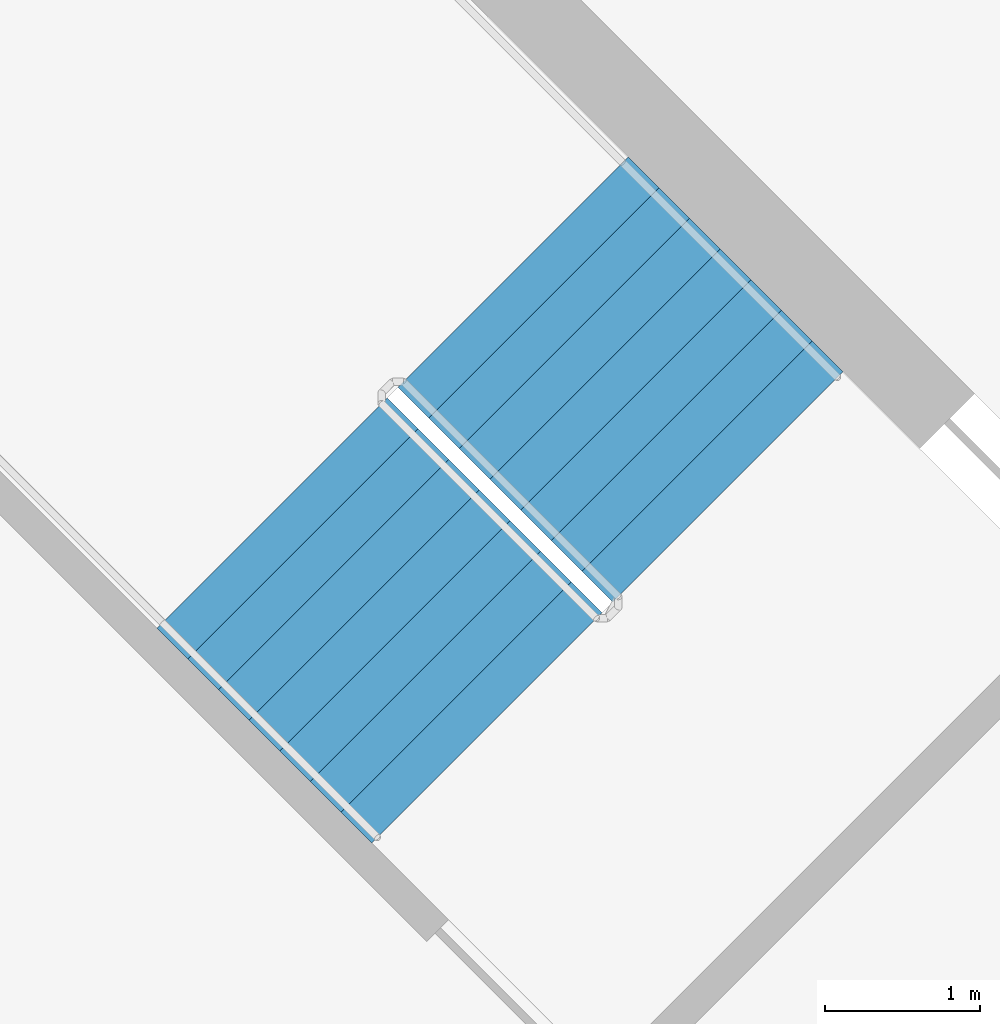
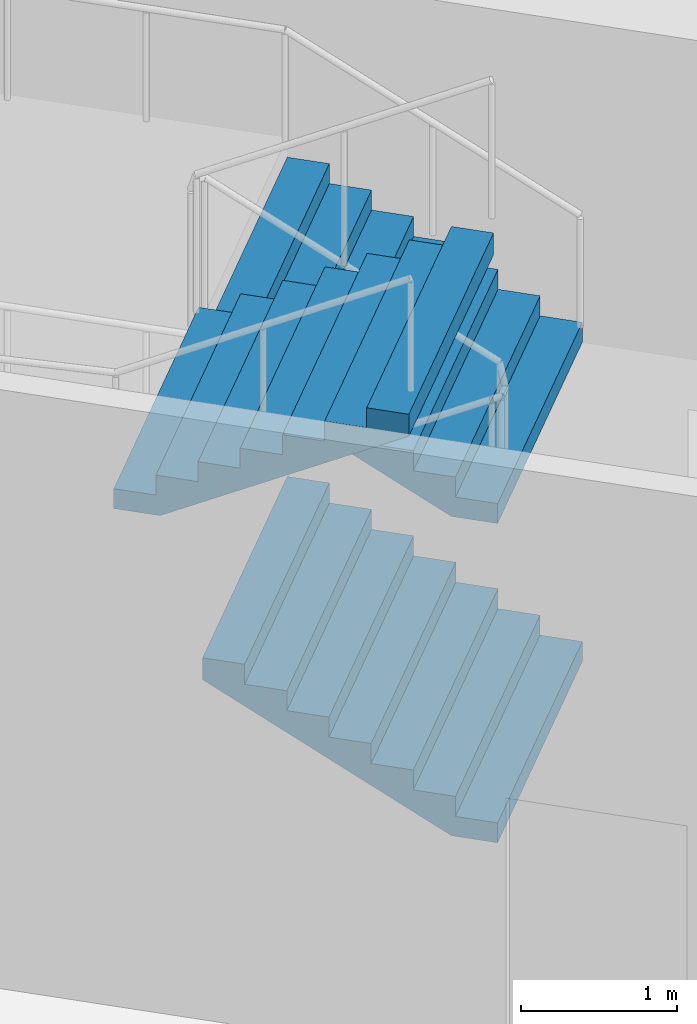
# One storey, part 15 of 17: 3 stair flights, 1 element without a shape of its own.
"""IFC4 building model written with IfcOpenShell, lengths in metres."""

from ifc_helpers import new_model, si_unit, direction, frame, origin, place, context, subcontext, project, spatial, triangles, material, type_object, element, aggregate, save


model = new_model("IFC4")

# Units and contexts
model_context = context("Model", 3, precision=1e-05, world=origin(), true_north=direction((0.0, 1.0)))
body_context = subcontext(model_context, "Body", "Model", "MODEL_VIEW")
ifc_project = project(units=[si_unit("LENGTHUNIT", "METRE"), si_unit("AREAUNIT", "SQUARE_METRE"), si_unit("VOLUMEUNIT", "CUBIC_METRE"), si_unit("PLANEANGLEUNIT", "RADIAN"), si_unit("MASSUNIT", "GRAM", prefix="KILO")], contexts=[model_context])

# Site, building, storey
site_placement = place(None, origin())
site = spatial("IfcSite", under=ifc_project, at=site_placement, CompositionType="ELEMENT")
building_placement = place(site_placement, origin())
building = spatial("IfcBuilding", under=site, at=building_placement, Name="Verdalira Terraces Hotel", CompositionType="ELEMENT")
storey_placement = place(building_placement, frame((0.0, 0.0, 222.0)))
storey = spatial("IfcBuildingStorey", under=building, at=storey_placement, Name="L54", CompositionType="ELEMENT", Elevation=222.0)

# Stair, stair flights
ifc_material_1 = material(Name="Concrete C40", Category="concrete")
stair_type = type_object("IfcStairType", Name="Core stair 32 risers 2100 mm wide", PredefinedType="HALF_TURN_STAIR", material=ifc_material_1)
stair_placement = place(storey_placement, origin())
stair = element("IfcStair", 1, at=stair_placement, inside=storey, type_object=stair_type, Name="L54 Exit stair ST1", PredefinedType="HALF_TURN_STAIR")
ifc_material_2 = material(Name="Concrete C40", Category="concrete")
stair_flight_type = type_object("IfcStairFlightType", Name="Core stair flight 32 risers 2100 mm wide", PredefinedType="STRAIGHT", material=ifc_material_2)
stair_flight_1_placement = place(storey_placement, frame((10.076172, 7.530762, 0.0), z_axis=(0.0, 0.0, 1.0), x_axis=(-0.707106781, 0.707106781, 0.0)))
stair_flight_1 = element("IfcStairFlight", 2, at=stair_flight_1_placement, type_object=stair_flight_type, Name="ST1 flight 1", NumberOfRisers=8, NumberOfTreads=7, PredefinedType="STRAIGHT", RiserHeight=0.15625, TreadLength=0.28, context=body_context, shape_type="Tessellation", body=[
    triangles([(0.0, 1.050049, 0.0), (0.307617, 1.050049, 0.0), (1.959961, 1.050049, 0.922119), (0.0, -1.050049, 0.0), (0.307617, -1.050049, 0.0), (1.959961, -1.050049, 0.922119), (1.959961, 1.050049, 1.09375), (1.679932, 1.050049, 1.09375), (1.959961, -1.050049, 1.09375), (1.679932, -1.050049, 1.09375), (1.679932, 1.050049, 0.9375), (1.679932, -1.050049, 0.9375), (1.399902, 1.050049, 0.9375), (1.399902, -1.050049, 0.9375), (1.399902, 1.050049, 0.78125), (1.399902, -1.050049, 0.78125), (1.120117, 1.050049, 0.78125), (1.120117, 1.050049, 0.625), (1.120117, -1.050049, 0.78125), (1.120117, -1.050049, 0.625), (0.840088, 1.050049, 0.625), (0.840088, 1.050049, 0.46875), (0.840088, -1.050049, 0.625), (0.840088, -1.050049, 0.46875), (0.560059, 1.050049, 0.46875), (0.560059, 1.050049, 0.3125), (0.560059, -1.050049, 0.46875), (0.560059, -1.050049, 0.3125), (0.280029, 1.050049, 0.3125), (0.280029, 1.050049, 0.15625), (0.280029, -1.050049, 0.3125), (0.280029, -1.050049, 0.15625), (0.0, 1.050049, 0.15625), (0.0, -1.050049, 0.15625), (0.0, -0.984421, 0.0), (0.0, -0.984421, 0.15625), (0.0, -0.918793, 0.0), (0.0, -0.918793, 0.15625), (0.0, -0.853165, 0.0), (0.0, -0.853165, 0.15625), (0.0, -0.787537, 0.0), (0.0, -0.787537, 0.15625), (0.0, -0.721909, 0.0), (0.0, -0.721909, 0.15625), (0.0, -0.656281, 0.0), (0.0, -0.656281, 0.15625), (0.0, -0.590652, 0.0), (0.0, -0.590652, 0.15625), (0.0, -0.525024, 0.0), (0.0, -0.525024, 0.15625), (0.0, -0.459396, 0.0), (0.0, -0.459396, 0.15625), (0.0, -0.393768, 0.0), (0.0, -0.393768, 0.15625), (0.0, -0.32814, 0.0), (0.0, -0.32814, 0.15625), (0.0, -0.262512, 0.0), (0.0, -0.262512, 0.15625), (0.0, -0.196884, 0.0), (0.0, -0.196884, 0.15625), (0.0, -0.131256, 0.0), (0.0, -0.131256, 0.15625), (0.0, -0.065628, 0.0), (0.0, -0.065628, 0.15625), (0.0, 0.0, 0.0), (0.0, 0.0, 0.15625), (0.0, 0.065628, 0.0), (0.0, 0.065628, 0.15625), (0.0, 0.131256, 0.0), (0.0, 0.131256, 0.15625), (0.0, 0.196884, 0.0), (0.0, 0.196884, 0.15625), (0.0, 0.262512, 0.0), (0.0, 0.262512, 0.15625), (0.0, 0.32814, 0.0), (0.0, 0.32814, 0.15625), (0.0, 0.393768, 0.0), (0.0, 0.393768, 0.15625), (0.0, 0.459396, 0.0), (0.0, 0.459396, 0.15625), (0.0, 0.525024, 0.0), (0.0, 0.525024, 0.15625), (0.0, 0.590652, 0.0), (0.0, 0.590652, 0.15625), (0.0, 0.656281, 0.0), (0.0, 0.656281, 0.15625), (0.0, 0.721909, 0.0), (0.0, 0.721909, 0.15625), (0.0, 0.787537, 0.0), (0.0, 0.787537, 0.15625), (0.0, 0.853165, 0.0), (0.0, 0.853165, 0.15625), (0.0, 0.918793, 0.0), (0.0, 0.918793, 0.15625), (0.0, 0.984421, 0.0), (0.0, 0.984421, 0.15625), (1.959961, -0.984421, 1.09375), (1.959961, -0.918793, 1.09375), (1.959961, -0.853165, 1.09375), (1.959961, -0.787537, 1.09375), (1.959961, -0.721909, 1.09375), (1.959961, -0.656281, 1.09375), (1.959961, -0.590652, 1.09375), (1.959961, -0.525024, 1.09375), (1.959961, -0.459396, 1.09375), (1.959961, -0.393768, 1.09375), (1.959961, -0.32814, 1.09375), (1.959961, -0.262512, 1.09375), (1.959961, -0.196884, 1.09375), (1.959961, -0.131256, 1.09375), (1.959961, -0.065628, 1.09375), (1.959961, 0.0, 1.09375), (1.959961, 0.065628, 1.09375), (1.959961, 0.131256, 1.09375), (1.959961, 0.196884, 1.09375), (1.959961, 0.262512, 1.09375), (1.959961, 0.32814, 1.09375), (1.959961, 0.393768, 1.09375), (1.959961, 0.459396, 1.09375), (1.959961, 0.525024, 1.09375), (1.959961, 0.590652, 1.09375), (1.959961, 0.656281, 1.09375), (1.959961, 0.721909, 1.09375), (1.959961, 0.787537, 1.09375), (1.959961, 0.853165, 1.09375), (1.959961, 0.918793, 1.09375), (1.959961, 0.984421, 1.09375), (1.959961, -0.984421, 0.922119), (1.959961, -0.918793, 0.922119), (1.959961, -0.853165, 0.922119), (1.959961, -0.787537, 0.922119), (1.959961, -0.721909, 0.922119), (1.959961, -0.656281, 0.922119), (1.959961, -0.590652, 0.922119), (1.959961, -0.525024, 0.922119), (1.959961, -0.459396, 0.922119), (1.959961, -0.393768, 0.922119), (1.959961, -0.32814, 0.922119), (1.959961, -0.262512, 0.922119), (1.959961, -0.196884, 0.922119), (1.959961, -0.131256, 0.922119), (1.959961, -0.065628, 0.922119), (1.959961, 0.0, 0.922119), (1.959961, 0.065628, 0.922119), (1.959961, 0.131256, 0.922119), (1.959961, 0.196884, 0.922119), (1.959961, 0.262512, 0.922119), (1.959961, 0.32814, 0.922119), (1.959961, 0.393768, 0.922119), (1.959961, 0.459396, 0.922119), (1.959961, 0.525024, 0.922119), (1.959961, 0.590652, 0.922119), (1.959961, 0.656281, 0.922119), (1.959961, 0.721909, 0.922119), (1.959961, 0.787537, 0.922119), (1.959961, 0.853165, 0.922119), (1.959961, 0.918793, 0.922119), (1.959961, 0.984421, 0.922119)], [[1, 3, 2], [4, 5, 6], [3, 8, 7], [6, 9, 10], [3, 11, 8], [6, 10, 12], [3, 13, 11], [6, 12, 14], [3, 15, 13], [6, 14, 16], [15, 18, 17], [16, 19, 20], [3, 18, 15], [6, 16, 20], [18, 22, 21], [20, 23, 24], [3, 22, 18], [6, 20, 24], [22, 26, 25], [24, 27, 28], [3, 26, 22], [6, 24, 28], [26, 30, 29], [28, 31, 32], [3, 30, 26], [6, 28, 32], [1, 30, 3], [4, 6, 32], [30, 1, 33], [32, 34, 4], [4, 36, 35], [4, 34, 36], [35, 38, 37], [35, 36, 38], [37, 40, 39], [37, 38, 40], [39, 42, 41], [39, 40, 42], [41, 44, 43], [41, 42, 44], [43, 46, 45], [43, 44, 46], [45, 48, 47], [45, 46, 48], [47, 50, 49], [47, 48, 50], [49, 52, 51], [49, 50, 52], [51, 54, 53], [51, 52, 54], [53, 56, 55], [53, 54, 56], [55, 58, 57], [55, 56, 58], [57, 60, 59], [57, 58, 60], [59, 62, 61], [59, 60, 62], [61, 64, 63], [61, 62, 64], [63, 66, 65], [63, 64, 66], [65, 68, 67], [65, 66, 68], [67, 70, 69], [67, 68, 70], [69, 72, 71], [69, 70, 72], [71, 74, 73], [71, 72, 74], [73, 76, 75], [73, 74, 76], [75, 78, 77], [75, 76, 78], [77, 80, 79], [77, 78, 80], [79, 82, 81], [79, 80, 82], [81, 84, 83], [81, 82, 84], [83, 86, 85], [83, 84, 86], [85, 88, 87], [85, 86, 88], [87, 90, 89], [87, 88, 90], [89, 92, 91], [89, 90, 92], [91, 94, 93], [91, 92, 94], [93, 96, 95], [93, 94, 96], [95, 33, 1], [95, 96, 33], [34, 32, 36], [36, 32, 38], [38, 32, 40], [40, 32, 42], [42, 32, 44], [44, 32, 46], [46, 32, 48], [48, 32, 50], [50, 32, 52], [52, 32, 54], [54, 32, 56], [56, 32, 58], [58, 32, 60], [60, 32, 62], [62, 32, 64], [64, 32, 66], [66, 32, 68], [68, 32, 70], [70, 32, 72], [72, 32, 74], [74, 32, 76], [76, 32, 78], [78, 32, 80], [80, 32, 82], [82, 32, 84], [84, 32, 86], [86, 32, 88], [88, 32, 90], [90, 32, 92], [92, 32, 94], [94, 32, 96], [96, 32, 33], [33, 32, 30], [32, 29, 30], [32, 31, 29], [31, 26, 29], [31, 28, 26], [28, 25, 26], [28, 27, 25], [27, 22, 25], [27, 24, 22], [24, 21, 22], [24, 23, 21], [23, 18, 21], [23, 20, 18], [20, 17, 18], [20, 19, 17], [19, 15, 17], [19, 16, 15], [16, 13, 15], [16, 14, 13], [14, 11, 13], [14, 12, 11], [12, 8, 11], [12, 10, 8], [9, 97, 10], [97, 98, 10], [98, 99, 10], [99, 100, 10], [100, 101, 10], [101, 102, 10], [102, 103, 10], [103, 104, 10], [104, 105, 10], [105, 106, 10], [106, 107, 10], [107, 108, 10], [108, 109, 10], [109, 110, 10], [110, 111, 10], [111, 112, 10], [112, 113, 10], [113, 114, 10], [114, 115, 10], [115, 116, 10], [116, 117, 10], [117, 118, 10], [118, 119, 10], [119, 120, 10], [120, 121, 10], [121, 122, 10], [122, 123, 10], [123, 124, 10], [124, 125, 10], [125, 126, 10], [126, 127, 10], [127, 7, 10], [7, 8, 10], [9, 128, 97], [9, 6, 128], [97, 129, 98], [97, 128, 129], [98, 130, 99], [98, 129, 130], [99, 131, 100], [99, 130, 131], [100, 132, 101], [100, 131, 132], [101, 133, 102], [101, 132, 133], [102, 134, 103], [102, 133, 134], [103, 135, 104], [103, 134, 135], [104, 136, 105], [104, 135, 136], [105, 137, 106], [105, 136, 137], [106, 138, 107], [106, 137, 138], [107, 139, 108], [107, 138, 139], [108, 140, 109], [108, 139, 140], [109, 141, 110], [109, 140, 141], [110, 142, 111], [110, 141, 142], [111, 143, 112], [111, 142, 143], [112, 144, 113], [112, 143, 144], [113, 145, 114], [113, 144, 145], [114, 146, 115], [114, 145, 146], [115, 147, 116], [115, 146, 147], [116, 148, 117], [116, 147, 148], [117, 149, 118], [117, 148, 149], [118, 150, 119], [118, 149, 150], [119, 151, 120], [119, 150, 151], [120, 152, 121], [120, 151, 152], [121, 153, 122], [121, 152, 153], [122, 154, 123], [122, 153, 154], [123, 155, 124], [123, 154, 155], [124, 156, 125], [124, 155, 156], [125, 157, 126], [125, 156, 157], [126, 158, 127], [126, 157, 158], [127, 3, 7], [127, 158, 3], [6, 5, 128], [128, 5, 129], [129, 5, 130], [130, 5, 131], [131, 5, 132], [132, 5, 133], [133, 5, 134], [134, 5, 135], [135, 5, 136], [136, 5, 137], [137, 5, 138], [138, 5, 139], [139, 5, 140], [140, 5, 141], [141, 5, 142], [142, 5, 143], [143, 5, 144], [144, 5, 145], [145, 5, 146], [146, 5, 147], [147, 5, 148], [148, 5, 149], [149, 5, 150], [150, 5, 151], [151, 5, 152], [152, 5, 153], [153, 5, 154], [154, 5, 155], [155, 5, 156], [156, 5, 157], [157, 5, 158], [158, 5, 3], [3, 5, 2], [4, 35, 5], [35, 37, 5], [37, 39, 5], [39, 41, 5], [41, 43, 5], [43, 45, 5], [45, 47, 5], [47, 49, 5], [49, 51, 5], [51, 53, 5], [53, 55, 5], [55, 57, 5], [57, 59, 5], [59, 61, 5], [61, 63, 5], [63, 65, 5], [65, 67, 5], [67, 69, 5], [69, 71, 5], [71, 73, 5], [73, 75, 5], [75, 77, 5], [77, 79, 5], [79, 81, 5], [81, 83, 5], [83, 85, 5], [85, 87, 5], [87, 89, 5], [89, 91, 5], [91, 93, 5], [93, 95, 5], [95, 1, 5], [1, 2, 5]], closed=True),
])
stair_flight_2_placement = place(storey_placement, frame((10.076172, 7.530762, 2.5), z_axis=(0.0, 0.0, 1.0), x_axis=(-0.707106781, 0.707106781, 0.0)))
stair_flight_2 = element("IfcStairFlight", 3, at=stair_flight_2_placement, type_object=stair_flight_type, Name="ST1 flight 3", NumberOfRisers=8, NumberOfTreads=7, PredefinedType="STRAIGHT", RiserHeight=0.15625, TreadLength=0.28, context=body_context, shape_type="Tessellation", body=[
    triangles([(0.0, 1.050049, 0.0), (0.307617, 1.050049, 0.0), (1.959961, 1.050049, 0.922119), (0.0, -1.050049, 0.0), (0.307617, -1.050049, 0.0), (1.959961, -1.050049, 0.922119), (1.959961, 1.050049, 1.09375), (1.679932, 1.050049, 1.09375), (1.959961, -1.050049, 1.09375), (1.679932, -1.050049, 1.09375), (1.679932, 1.050049, 0.9375), (1.679932, -1.050049, 0.9375), (1.399902, 1.050049, 0.9375), (1.399902, -1.050049, 0.9375), (1.399902, 1.050049, 0.78125), (1.399902, -1.050049, 0.78125), (1.120117, 1.050049, 0.78125), (1.120117, 1.050049, 0.625), (1.120117, -1.050049, 0.78125), (1.120117, -1.050049, 0.625), (0.840088, 1.050049, 0.625), (0.840088, 1.050049, 0.46875), (0.840088, -1.050049, 0.625), (0.840088, -1.050049, 0.46875), (0.560059, 1.050049, 0.46875), (0.560059, 1.050049, 0.3125), (0.560059, -1.050049, 0.46875), (0.560059, -1.050049, 0.3125), (0.280029, 1.050049, 0.3125), (0.280029, 1.050049, 0.15625), (0.280029, -1.050049, 0.3125), (0.280029, -1.050049, 0.15625), (0.0, 1.050049, 0.15625), (0.0, -1.050049, 0.15625), (0.0, -0.984421, 0.0), (0.0, -0.984421, 0.15625), (0.0, -0.918793, 0.0), (0.0, -0.918793, 0.15625), (0.0, -0.853165, 0.0), (0.0, -0.853165, 0.15625), (0.0, -0.787537, 0.0), (0.0, -0.787537, 0.15625), (0.0, -0.721909, 0.0), (0.0, -0.721909, 0.15625), (0.0, -0.656281, 0.0), (0.0, -0.656281, 0.15625), (0.0, -0.590652, 0.0), (0.0, -0.590652, 0.15625), (0.0, -0.525024, 0.0), (0.0, -0.525024, 0.15625), (0.0, -0.459396, 0.0), (0.0, -0.459396, 0.15625), (0.0, -0.393768, 0.0), (0.0, -0.393768, 0.15625), (0.0, -0.32814, 0.0), (0.0, -0.32814, 0.15625), (0.0, -0.262512, 0.0), (0.0, -0.262512, 0.15625), (0.0, -0.196884, 0.0), (0.0, -0.196884, 0.15625), (0.0, -0.131256, 0.0), (0.0, -0.131256, 0.15625), (0.0, -0.065628, 0.0), (0.0, -0.065628, 0.15625), (0.0, 0.0, 0.0), (0.0, 0.0, 0.15625), (0.0, 0.065628, 0.0), (0.0, 0.065628, 0.15625), (0.0, 0.131256, 0.0), (0.0, 0.131256, 0.15625), (0.0, 0.196884, 0.0), (0.0, 0.196884, 0.15625), (0.0, 0.262512, 0.0), (0.0, 0.262512, 0.15625), (0.0, 0.32814, 0.0), (0.0, 0.32814, 0.15625), (0.0, 0.393768, 0.0), (0.0, 0.393768, 0.15625), (0.0, 0.459396, 0.0), (0.0, 0.459396, 0.15625), (0.0, 0.525024, 0.0), (0.0, 0.525024, 0.15625), (0.0, 0.590652, 0.0), (0.0, 0.590652, 0.15625), (0.0, 0.656281, 0.0), (0.0, 0.656281, 0.15625), (0.0, 0.721909, 0.0), (0.0, 0.721909, 0.15625), (0.0, 0.787537, 0.0), (0.0, 0.787537, 0.15625), (0.0, 0.853165, 0.0), (0.0, 0.853165, 0.15625), (0.0, 0.918793, 0.0), (0.0, 0.918793, 0.15625), (0.0, 0.984421, 0.0), (0.0, 0.984421, 0.15625), (1.959961, -0.984421, 1.09375), (1.959961, -0.918793, 1.09375), (1.959961, -0.853165, 1.09375), (1.959961, -0.787537, 1.09375), (1.959961, -0.721909, 1.09375), (1.959961, -0.656281, 1.09375), (1.959961, -0.590652, 1.09375), (1.959961, -0.525024, 1.09375), (1.959961, -0.459396, 1.09375), (1.959961, -0.393768, 1.09375), (1.959961, -0.32814, 1.09375), (1.959961, -0.262512, 1.09375), (1.959961, -0.196884, 1.09375), (1.959961, -0.131256, 1.09375), (1.959961, -0.065628, 1.09375), (1.959961, 0.0, 1.09375), (1.959961, 0.065628, 1.09375), (1.959961, 0.131256, 1.09375), (1.959961, 0.196884, 1.09375), (1.959961, 0.262512, 1.09375), (1.959961, 0.32814, 1.09375), (1.959961, 0.393768, 1.09375), (1.959961, 0.459396, 1.09375), (1.959961, 0.525024, 1.09375), (1.959961, 0.590652, 1.09375), (1.959961, 0.656281, 1.09375), (1.959961, 0.721909, 1.09375), (1.959961, 0.787537, 1.09375), (1.959961, 0.853165, 1.09375), (1.959961, 0.918793, 1.09375), (1.959961, 0.984421, 1.09375), (1.959961, -0.984421, 0.922119), (1.959961, -0.918793, 0.922119), (1.959961, -0.853165, 0.922119), (1.959961, -0.787537, 0.922119), (1.959961, -0.721909, 0.922119), (1.959961, -0.656281, 0.922119), (1.959961, -0.590652, 0.922119), (1.959961, -0.525024, 0.922119), (1.959961, -0.459396, 0.922119), (1.959961, -0.393768, 0.922119), (1.959961, -0.32814, 0.922119), (1.959961, -0.262512, 0.922119), (1.959961, -0.196884, 0.922119), (1.959961, -0.131256, 0.922119), (1.959961, -0.065628, 0.922119), (1.959961, 0.0, 0.922119), (1.959961, 0.065628, 0.922119), (1.959961, 0.131256, 0.922119), (1.959961, 0.196884, 0.922119), (1.959961, 0.262512, 0.922119), (1.959961, 0.32814, 0.922119), (1.959961, 0.393768, 0.922119), (1.959961, 0.459396, 0.922119), (1.959961, 0.525024, 0.922119), (1.959961, 0.590652, 0.922119), (1.959961, 0.656281, 0.922119), (1.959961, 0.721909, 0.922119), (1.959961, 0.787537, 0.922119), (1.959961, 0.853165, 0.922119), (1.959961, 0.918793, 0.922119), (1.959961, 0.984421, 0.922119)], [[1, 3, 2], [4, 5, 6], [3, 8, 7], [6, 9, 10], [3, 11, 8], [6, 10, 12], [3, 13, 11], [6, 12, 14], [3, 15, 13], [6, 14, 16], [15, 18, 17], [16, 19, 20], [3, 18, 15], [6, 16, 20], [18, 22, 21], [20, 23, 24], [3, 22, 18], [6, 20, 24], [22, 26, 25], [24, 27, 28], [3, 26, 22], [6, 24, 28], [26, 30, 29], [28, 31, 32], [3, 30, 26], [6, 28, 32], [1, 30, 3], [4, 6, 32], [30, 1, 33], [32, 34, 4], [4, 36, 35], [4, 34, 36], [35, 38, 37], [35, 36, 38], [37, 40, 39], [37, 38, 40], [39, 42, 41], [39, 40, 42], [41, 44, 43], [41, 42, 44], [43, 46, 45], [43, 44, 46], [45, 48, 47], [45, 46, 48], [47, 50, 49], [47, 48, 50], [49, 52, 51], [49, 50, 52], [51, 54, 53], [51, 52, 54], [53, 56, 55], [53, 54, 56], [55, 58, 57], [55, 56, 58], [57, 60, 59], [57, 58, 60], [59, 62, 61], [59, 60, 62], [61, 64, 63], [61, 62, 64], [63, 66, 65], [63, 64, 66], [65, 68, 67], [65, 66, 68], [67, 70, 69], [67, 68, 70], [69, 72, 71], [69, 70, 72], [71, 74, 73], [71, 72, 74], [73, 76, 75], [73, 74, 76], [75, 78, 77], [75, 76, 78], [77, 80, 79], [77, 78, 80], [79, 82, 81], [79, 80, 82], [81, 84, 83], [81, 82, 84], [83, 86, 85], [83, 84, 86], [85, 88, 87], [85, 86, 88], [87, 90, 89], [87, 88, 90], [89, 92, 91], [89, 90, 92], [91, 94, 93], [91, 92, 94], [93, 96, 95], [93, 94, 96], [95, 33, 1], [95, 96, 33], [34, 32, 36], [36, 32, 38], [38, 32, 40], [40, 32, 42], [42, 32, 44], [44, 32, 46], [46, 32, 48], [48, 32, 50], [50, 32, 52], [52, 32, 54], [54, 32, 56], [56, 32, 58], [58, 32, 60], [60, 32, 62], [62, 32, 64], [64, 32, 66], [66, 32, 68], [68, 32, 70], [70, 32, 72], [72, 32, 74], [74, 32, 76], [76, 32, 78], [78, 32, 80], [80, 32, 82], [82, 32, 84], [84, 32, 86], [86, 32, 88], [88, 32, 90], [90, 32, 92], [92, 32, 94], [94, 32, 96], [96, 32, 33], [33, 32, 30], [32, 29, 30], [32, 31, 29], [31, 26, 29], [31, 28, 26], [28, 25, 26], [28, 27, 25], [27, 22, 25], [27, 24, 22], [24, 21, 22], [24, 23, 21], [23, 18, 21], [23, 20, 18], [20, 17, 18], [20, 19, 17], [19, 15, 17], [19, 16, 15], [16, 13, 15], [16, 14, 13], [14, 11, 13], [14, 12, 11], [12, 8, 11], [12, 10, 8], [9, 97, 10], [97, 98, 10], [98, 99, 10], [99, 100, 10], [100, 101, 10], [101, 102, 10], [102, 103, 10], [103, 104, 10], [104, 105, 10], [105, 106, 10], [106, 107, 10], [107, 108, 10], [108, 109, 10], [109, 110, 10], [110, 111, 10], [111, 112, 10], [112, 113, 10], [113, 114, 10], [114, 115, 10], [115, 116, 10], [116, 117, 10], [117, 118, 10], [118, 119, 10], [119, 120, 10], [120, 121, 10], [121, 122, 10], [122, 123, 10], [123, 124, 10], [124, 125, 10], [125, 126, 10], [126, 127, 10], [127, 7, 10], [7, 8, 10], [9, 128, 97], [9, 6, 128], [97, 129, 98], [97, 128, 129], [98, 130, 99], [98, 129, 130], [99, 131, 100], [99, 130, 131], [100, 132, 101], [100, 131, 132], [101, 133, 102], [101, 132, 133], [102, 134, 103], [102, 133, 134], [103, 135, 104], [103, 134, 135], [104, 136, 105], [104, 135, 136], [105, 137, 106], [105, 136, 137], [106, 138, 107], [106, 137, 138], [107, 139, 108], [107, 138, 139], [108, 140, 109], [108, 139, 140], [109, 141, 110], [109, 140, 141], [110, 142, 111], [110, 141, 142], [111, 143, 112], [111, 142, 143], [112, 144, 113], [112, 143, 144], [113, 145, 114], [113, 144, 145], [114, 146, 115], [114, 145, 146], [115, 147, 116], [115, 146, 147], [116, 148, 117], [116, 147, 148], [117, 149, 118], [117, 148, 149], [118, 150, 119], [118, 149, 150], [119, 151, 120], [119, 150, 151], [120, 152, 121], [120, 151, 152], [121, 153, 122], [121, 152, 153], [122, 154, 123], [122, 153, 154], [123, 155, 124], [123, 154, 155], [124, 156, 125], [124, 155, 156], [125, 157, 126], [125, 156, 157], [126, 158, 127], [126, 157, 158], [127, 3, 7], [127, 158, 3], [6, 5, 128], [128, 5, 129], [129, 5, 130], [130, 5, 131], [131, 5, 132], [132, 5, 133], [133, 5, 134], [134, 5, 135], [135, 5, 136], [136, 5, 137], [137, 5, 138], [138, 5, 139], [139, 5, 140], [140, 5, 141], [141, 5, 142], [142, 5, 143], [143, 5, 144], [144, 5, 145], [145, 5, 146], [146, 5, 147], [147, 5, 148], [148, 5, 149], [149, 5, 150], [150, 5, 151], [151, 5, 152], [152, 5, 153], [153, 5, 154], [154, 5, 155], [155, 5, 156], [156, 5, 157], [157, 5, 158], [158, 5, 3], [3, 5, 2], [4, 35, 5], [35, 37, 5], [37, 39, 5], [39, 41, 5], [41, 43, 5], [43, 45, 5], [45, 47, 5], [47, 49, 5], [49, 51, 5], [51, 53, 5], [53, 55, 5], [55, 57, 5], [57, 59, 5], [59, 61, 5], [61, 63, 5], [63, 65, 5], [65, 67, 5], [67, 69, 5], [69, 71, 5], [71, 73, 5], [73, 75, 5], [75, 77, 5], [77, 79, 5], [79, 81, 5], [81, 83, 5], [83, 85, 5], [85, 87, 5], [87, 89, 5], [89, 91, 5], [91, 93, 5], [93, 95, 5], [95, 1, 5], [1, 2, 5]], closed=True),
])
stair_flight_3_placement = place(storey_placement, frame((7.134766, 7.361084, 3.75), z_axis=(0.0, 0.0, 1.0), x_axis=(0.707106781, -0.707106781, 0.0)))
stair_flight_3 = element("IfcStairFlight", 4, at=stair_flight_3_placement, type_object=stair_flight_type, Name="ST1 flight 4", NumberOfRisers=8, NumberOfTreads=7, PredefinedType="STRAIGHT", RiserHeight=0.15625, TreadLength=0.28, context=body_context, shape_type="Tessellation", body=[
    triangles([(0.0, 1.050049, 0.0), (0.307617, 1.050049, 0.0), (1.959961, 1.050049, 0.922119), (0.0, -1.050049, 0.0), (0.307617, -1.050049, 0.0), (1.959961, -1.050049, 0.922119), (1.959961, 1.050049, 1.09375), (1.679932, 1.050049, 1.09375), (1.959961, -1.050049, 1.09375), (1.679932, -1.050049, 1.09375), (1.679932, 1.050049, 0.9375), (1.679932, -1.050049, 0.9375), (1.399902, 1.050049, 0.9375), (1.399902, -1.050049, 0.9375), (1.399902, 1.050049, 0.78125), (1.399902, -1.050049, 0.78125), (1.120117, 1.050049, 0.78125), (1.120117, 1.050049, 0.625), (1.120117, -1.050049, 0.78125), (1.120117, -1.050049, 0.625), (0.840088, 1.050049, 0.625), (0.840088, 1.050049, 0.46875), (0.840088, -1.050049, 0.625), (0.840088, -1.050049, 0.46875), (0.560059, 1.050049, 0.46875), (0.560059, 1.050049, 0.3125), (0.560059, -1.050049, 0.46875), (0.560059, -1.050049, 0.3125), (0.280029, 1.050049, 0.3125), (0.280029, 1.050049, 0.15625), (0.280029, -1.050049, 0.3125), (0.280029, -1.050049, 0.15625), (0.0, 1.050049, 0.15625), (0.0, -1.050049, 0.15625), (0.0, -0.984421, 0.0), (0.0, -0.984421, 0.15625), (0.0, -0.918793, 0.0), (0.0, -0.918793, 0.15625), (0.0, -0.853165, 0.0), (0.0, -0.853165, 0.15625), (0.0, -0.787537, 0.0), (0.0, -0.787537, 0.15625), (0.0, -0.721909, 0.0), (0.0, -0.721909, 0.15625), (0.0, -0.656281, 0.0), (0.0, -0.656281, 0.15625), (0.0, -0.590652, 0.0), (0.0, -0.590652, 0.15625), (0.0, -0.525024, 0.0), (0.0, -0.525024, 0.15625), (0.0, -0.459396, 0.0), (0.0, -0.459396, 0.15625), (0.0, -0.393768, 0.0), (0.0, -0.393768, 0.15625), (0.0, -0.32814, 0.0), (0.0, -0.32814, 0.15625), (0.0, -0.262512, 0.0), (0.0, -0.262512, 0.15625), (0.0, -0.196884, 0.0), (0.0, -0.196884, 0.15625), (0.0, -0.131256, 0.0), (0.0, -0.131256, 0.15625), (0.0, -0.065628, 0.0), (0.0, -0.065628, 0.15625), (0.0, 0.0, 0.0), (0.0, 0.0, 0.15625), (0.0, 0.065628, 0.0), (0.0, 0.065628, 0.15625), (0.0, 0.131256, 0.0), (0.0, 0.131256, 0.15625), (0.0, 0.196884, 0.0), (0.0, 0.196884, 0.15625), (0.0, 0.262512, 0.0), (0.0, 0.262512, 0.15625), (0.0, 0.32814, 0.0), (0.0, 0.32814, 0.15625), (0.0, 0.393768, 0.0), (0.0, 0.393768, 0.15625), (0.0, 0.459396, 0.0), (0.0, 0.459396, 0.15625), (0.0, 0.525024, 0.0), (0.0, 0.525024, 0.15625), (0.0, 0.590652, 0.0), (0.0, 0.590652, 0.15625), (0.0, 0.656281, 0.0), (0.0, 0.656281, 0.15625), (0.0, 0.721909, 0.0), (0.0, 0.721909, 0.15625), (0.0, 0.787537, 0.0), (0.0, 0.787537, 0.15625), (0.0, 0.853165, 0.0), (0.0, 0.853165, 0.15625), (0.0, 0.918793, 0.0), (0.0, 0.918793, 0.15625), (0.0, 0.984421, 0.0), (0.0, 0.984421, 0.15625), (1.959961, -0.984421, 1.09375), (1.959961, -0.918793, 1.09375), (1.959961, -0.853165, 1.09375), (1.959961, -0.787537, 1.09375), (1.959961, -0.721909, 1.09375), (1.959961, -0.656281, 1.09375), (1.959961, -0.590652, 1.09375), (1.959961, -0.525024, 1.09375), (1.959961, -0.459396, 1.09375), (1.959961, -0.393768, 1.09375), (1.959961, -0.32814, 1.09375), (1.959961, -0.262512, 1.09375), (1.959961, -0.196884, 1.09375), (1.959961, -0.131256, 1.09375), (1.959961, -0.065628, 1.09375), (1.959961, 0.0, 1.09375), (1.959961, 0.065628, 1.09375), (1.959961, 0.131256, 1.09375), (1.959961, 0.196884, 1.09375), (1.959961, 0.262512, 1.09375), (1.959961, 0.32814, 1.09375), (1.959961, 0.393768, 1.09375), (1.959961, 0.459396, 1.09375), (1.959961, 0.525024, 1.09375), (1.959961, 0.590652, 1.09375), (1.959961, 0.656281, 1.09375), (1.959961, 0.721909, 1.09375), (1.959961, 0.787537, 1.09375), (1.959961, 0.853165, 1.09375), (1.959961, 0.918793, 1.09375), (1.959961, 0.984421, 1.09375), (1.959961, -0.984421, 0.922119), (1.959961, -0.918793, 0.922119), (1.959961, -0.853165, 0.922119), (1.959961, -0.787537, 0.922119), (1.959961, -0.721909, 0.922119), (1.959961, -0.656281, 0.922119), (1.959961, -0.590652, 0.922119), (1.959961, -0.525024, 0.922119), (1.959961, -0.459396, 0.922119), (1.959961, -0.393768, 0.922119), (1.959961, -0.32814, 0.922119), (1.959961, -0.262512, 0.922119), (1.959961, -0.196884, 0.922119), (1.959961, -0.131256, 0.922119), (1.959961, -0.065628, 0.922119), (1.959961, 0.0, 0.922119), (1.959961, 0.065628, 0.922119), (1.959961, 0.131256, 0.922119), (1.959961, 0.196884, 0.922119), (1.959961, 0.262512, 0.922119), (1.959961, 0.32814, 0.922119), (1.959961, 0.393768, 0.922119), (1.959961, 0.459396, 0.922119), (1.959961, 0.525024, 0.922119), (1.959961, 0.590652, 0.922119), (1.959961, 0.656281, 0.922119), (1.959961, 0.721909, 0.922119), (1.959961, 0.787537, 0.922119), (1.959961, 0.853165, 0.922119), (1.959961, 0.918793, 0.922119), (1.959961, 0.984421, 0.922119)], [[1, 3, 2], [4, 5, 6], [3, 8, 7], [6, 9, 10], [3, 11, 8], [6, 10, 12], [3, 13, 11], [6, 12, 14], [3, 15, 13], [6, 14, 16], [15, 18, 17], [16, 19, 20], [3, 18, 15], [6, 16, 20], [18, 22, 21], [20, 23, 24], [3, 22, 18], [6, 20, 24], [22, 26, 25], [24, 27, 28], [3, 26, 22], [6, 24, 28], [26, 30, 29], [28, 31, 32], [3, 30, 26], [6, 28, 32], [1, 30, 3], [4, 6, 32], [30, 1, 33], [32, 34, 4], [4, 36, 35], [4, 34, 36], [35, 38, 37], [35, 36, 38], [37, 40, 39], [37, 38, 40], [39, 42, 41], [39, 40, 42], [41, 44, 43], [41, 42, 44], [43, 46, 45], [43, 44, 46], [45, 48, 47], [45, 46, 48], [47, 50, 49], [47, 48, 50], [49, 52, 51], [49, 50, 52], [51, 54, 53], [51, 52, 54], [53, 56, 55], [53, 54, 56], [55, 58, 57], [55, 56, 58], [57, 60, 59], [57, 58, 60], [59, 62, 61], [59, 60, 62], [61, 64, 63], [61, 62, 64], [63, 66, 65], [63, 64, 66], [65, 68, 67], [65, 66, 68], [67, 70, 69], [67, 68, 70], [69, 72, 71], [69, 70, 72], [71, 74, 73], [71, 72, 74], [73, 76, 75], [73, 74, 76], [75, 78, 77], [75, 76, 78], [77, 80, 79], [77, 78, 80], [79, 82, 81], [79, 80, 82], [81, 84, 83], [81, 82, 84], [83, 86, 85], [83, 84, 86], [85, 88, 87], [85, 86, 88], [87, 90, 89], [87, 88, 90], [89, 92, 91], [89, 90, 92], [91, 94, 93], [91, 92, 94], [93, 96, 95], [93, 94, 96], [95, 33, 1], [95, 96, 33], [34, 32, 36], [36, 32, 38], [38, 32, 40], [40, 32, 42], [42, 32, 44], [44, 32, 46], [46, 32, 48], [48, 32, 50], [50, 32, 52], [52, 32, 54], [54, 32, 56], [56, 32, 58], [58, 32, 60], [60, 32, 62], [62, 32, 64], [64, 32, 66], [66, 32, 68], [68, 32, 70], [70, 32, 72], [72, 32, 74], [74, 32, 76], [76, 32, 78], [78, 32, 80], [80, 32, 82], [82, 32, 84], [84, 32, 86], [86, 32, 88], [88, 32, 90], [90, 32, 92], [92, 32, 94], [94, 32, 96], [96, 32, 33], [33, 32, 30], [32, 29, 30], [32, 31, 29], [31, 26, 29], [31, 28, 26], [28, 25, 26], [28, 27, 25], [27, 22, 25], [27, 24, 22], [24, 21, 22], [24, 23, 21], [23, 18, 21], [23, 20, 18], [20, 17, 18], [20, 19, 17], [19, 15, 17], [19, 16, 15], [16, 13, 15], [16, 14, 13], [14, 11, 13], [14, 12, 11], [12, 8, 11], [12, 10, 8], [9, 97, 10], [97, 98, 10], [98, 99, 10], [99, 100, 10], [100, 101, 10], [101, 102, 10], [102, 103, 10], [103, 104, 10], [104, 105, 10], [105, 106, 10], [106, 107, 10], [107, 108, 10], [108, 109, 10], [109, 110, 10], [110, 111, 10], [111, 112, 10], [112, 113, 10], [113, 114, 10], [114, 115, 10], [115, 116, 10], [116, 117, 10], [117, 118, 10], [118, 119, 10], [119, 120, 10], [120, 121, 10], [121, 122, 10], [122, 123, 10], [123, 124, 10], [124, 125, 10], [125, 126, 10], [126, 127, 10], [127, 7, 10], [7, 8, 10], [9, 128, 97], [9, 6, 128], [97, 129, 98], [97, 128, 129], [98, 130, 99], [98, 129, 130], [99, 131, 100], [99, 130, 131], [100, 132, 101], [100, 131, 132], [101, 133, 102], [101, 132, 133], [102, 134, 103], [102, 133, 134], [103, 135, 104], [103, 134, 135], [104, 136, 105], [104, 135, 136], [105, 137, 106], [105, 136, 137], [106, 138, 107], [106, 137, 138], [107, 139, 108], [107, 138, 139], [108, 140, 109], [108, 139, 140], [109, 141, 110], [109, 140, 141], [110, 142, 111], [110, 141, 142], [111, 143, 112], [111, 142, 143], [112, 144, 113], [112, 143, 144], [113, 145, 114], [113, 144, 145], [114, 146, 115], [114, 145, 146], [115, 147, 116], [115, 146, 147], [116, 148, 117], [116, 147, 148], [117, 149, 118], [117, 148, 149], [118, 150, 119], [118, 149, 150], [119, 151, 120], [119, 150, 151], [120, 152, 121], [120, 151, 152], [121, 153, 122], [121, 152, 153], [122, 154, 123], [122, 153, 154], [123, 155, 124], [123, 154, 155], [124, 156, 125], [124, 155, 156], [125, 157, 126], [125, 156, 157], [126, 158, 127], [126, 157, 158], [127, 3, 7], [127, 158, 3], [6, 5, 128], [128, 5, 129], [129, 5, 130], [130, 5, 131], [131, 5, 132], [132, 5, 133], [133, 5, 134], [134, 5, 135], [135, 5, 136], [136, 5, 137], [137, 5, 138], [138, 5, 139], [139, 5, 140], [140, 5, 141], [141, 5, 142], [142, 5, 143], [143, 5, 144], [144, 5, 145], [145, 5, 146], [146, 5, 147], [147, 5, 148], [148, 5, 149], [149, 5, 150], [150, 5, 151], [151, 5, 152], [152, 5, 153], [153, 5, 154], [154, 5, 155], [155, 5, 156], [156, 5, 157], [157, 5, 158], [158, 5, 3], [3, 5, 2], [4, 35, 5], [35, 37, 5], [37, 39, 5], [39, 41, 5], [41, 43, 5], [43, 45, 5], [45, 47, 5], [47, 49, 5], [49, 51, 5], [51, 53, 5], [53, 55, 5], [55, 57, 5], [57, 59, 5], [59, 61, 5], [61, 63, 5], [63, 65, 5], [65, 67, 5], [67, 69, 5], [69, 71, 5], [71, 73, 5], [73, 75, 5], [75, 77, 5], [77, 79, 5], [79, 81, 5], [81, 83, 5], [83, 85, 5], [85, 87, 5], [87, 89, 5], [89, 91, 5], [91, 93, 5], [93, 95, 5], [95, 1, 5], [1, 2, 5]], closed=True),
])
aggregate(stair, [stair_flight_1, stair_flight_2, stair_flight_3])

save(model, "model.ifc")
